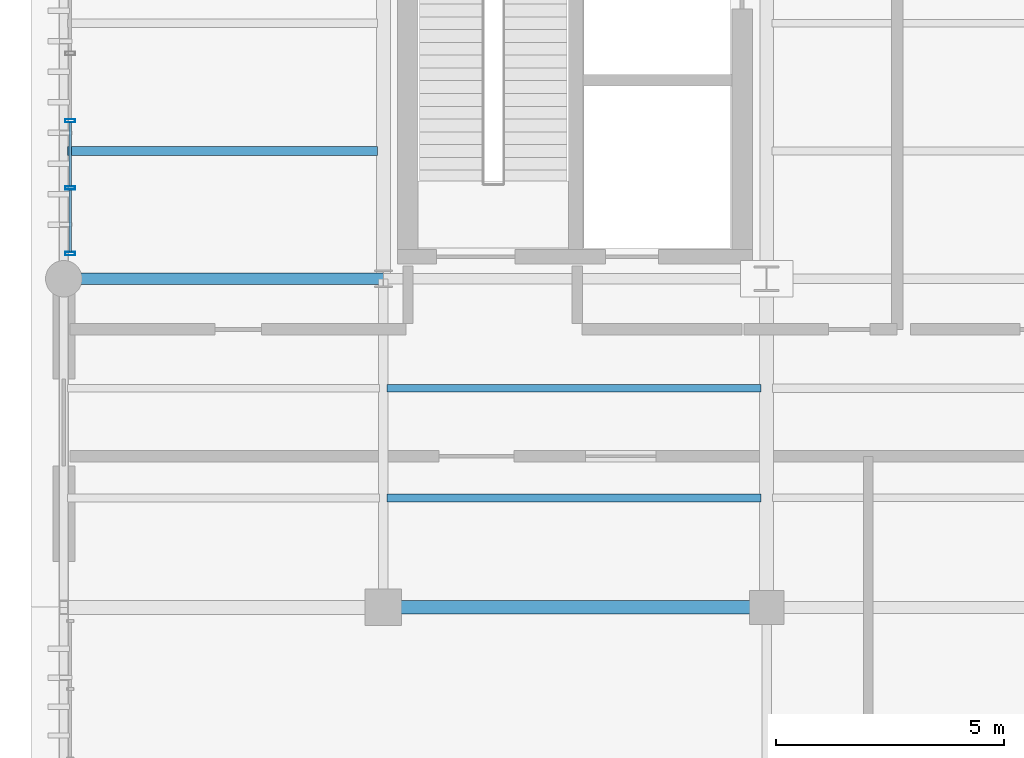
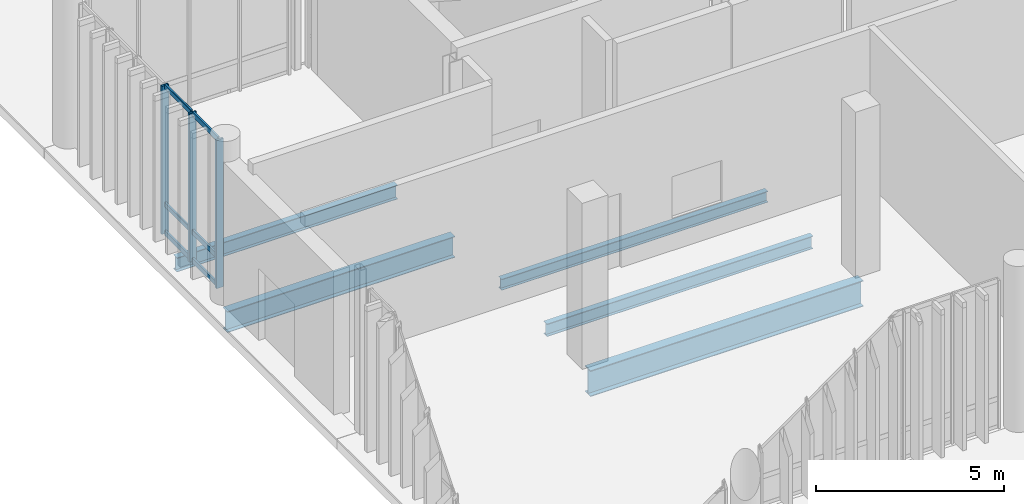
# One storey, part 25 of 112: 9 members, 5 beams, 1 element without a shape of its own.
"""IFC4 building model written with IfcOpenShell, lengths in metres."""

from ifc_helpers import new_model, si_unit, direction, frame, origin_with_axes, origin_2d_with_axis, place, context, subcontext, project, spatial, hollow_rectangle, i_section, extrude, material, material_profile, profile_set, type_object, element, aggregate, save


model = new_model("IFC4")

# Units and contexts
model_context = context("Model", 3, precision=1e-05, world=origin_with_axes(), true_north=direction((0.0, 1.0)))
body_context = subcontext(model_context, "Body", "Model", "MODEL_VIEW")
ifc_project = project(units=[si_unit("LENGTHUNIT", "METRE"), si_unit("AREAUNIT", "SQUARE_METRE"), si_unit("VOLUMEUNIT", "CUBIC_METRE"), si_unit("PLANEANGLEUNIT", "RADIAN"), si_unit("MASSUNIT", "GRAM", prefix="KILO"), si_unit("THERMODYNAMICTEMPERATUREUNIT", "KELVIN")], contexts=[model_context])

# Site, building, storey
site_placement = place(None, origin_with_axes())
site = spatial("IfcSite", under=ifc_project, at=site_placement, CompositionType="ELEMENT")
building_placement = place(site_placement, origin_with_axes())
building = spatial("IfcBuilding", under=site, at=building_placement, Name="Montbau Bow Law Courts", CompositionType="ELEMENT")
storey_placement = place(building_placement, origin_with_axes())
storey = spatial("IfcBuildingStorey", under=building, at=storey_placement, Name="L00", CompositionType="ELEMENT", Elevation=0.0)

# Beams
ifc_material_1 = material(Name="Steel CSA G40.21 Grade 350W (350 MPa)", Category="steel")
ifc_material_profile_1 = material_profile(ifc_material_1, i_section(OverallWidth=0.293, OverallDepth=0.846, WebThickness=0.0154, FlangeThickness=0.0244, at=origin_2d_with_axis()), Name="W840X210", Category="Main", Priority=0)
ifc_profile_set_1 = profile_set([ifc_material_profile_1], Name="Steel CSA G40.21 Grade 350W (350 MPa)")
beam_type_1 = type_object("IfcBeamType", Name="B-FLR-02", PredefinedType="BEAM", material=ifc_profile_set_1)
beam_1_placement = place(None, frame((13.8, 39.0, -0.763), z_axis=(1.0, 0.0, 0.0), x_axis=(0.0, 1.0, 0.0)))
element("IfcBeam", 1, at=beam_1_placement, inside=storey, type_object=beam_type_1, Name="BM-L00-S0184:bm2_0187", PredefinedType="BEAM", context=body_context, shape_type="SweptSolid", body=[
    extrude(i_section(OverallWidth=0.293, OverallDepth=0.846, WebThickness=0.0154, FlangeThickness=0.0244, at=origin_2d_with_axis()), origin_with_axes(), (0.0, 0.0, 1.0), 8.4),
])
ifc_material_profile_2 = material_profile(ifc_material_1, i_section(OverallWidth=0.254, OverallDepth=0.688, WebThickness=0.0131, FlangeThickness=0.0211, at=origin_2d_with_axis()), Name="W690X152", Category="Main", Priority=0)
ifc_profile_set_2 = profile_set([ifc_material_profile_2], Name="Steel CSA G40.21 Grade 350W (350 MPa)")
beam_type_2 = type_object("IfcBeamType", Name="B-FLR-04", PredefinedType="BEAM", material=ifc_profile_set_2)
beam_2_placement = place(None, frame((6.8, 46.2, -0.684), z_axis=(1.0, 0.0, 0.0), x_axis=(0.0, 1.0, 0.0)))
element("IfcBeam", 2, at=beam_2_placement, inside=storey, type_object=beam_type_2, Name="BM-L00-S0197:bm2_0200", PredefinedType="BEAM", context=body_context, shape_type="SweptSolid", body=[
    extrude(i_section(OverallWidth=0.254, OverallDepth=0.688, WebThickness=0.0131, FlangeThickness=0.0211, at=origin_2d_with_axis()), origin_with_axes(), (0.0, 0.0, 1.0), 7.0),
])
ifc_material_profile_3 = material_profile(ifc_material_1, i_section(OverallWidth=0.191, OverallDepth=0.46, WebThickness=0.0099, FlangeThickness=0.016, at=origin_2d_with_axis()), Name="W460X82", Category="Main", Priority=0)
ifc_profile_set_3 = profile_set([ifc_material_profile_3], Name="Steel CSA G40.21 Grade 350W (350 MPa)")
beam_type_3 = type_object("IfcBeamType", Name="B-JST-01", PredefinedType="JOIST", material=ifc_profile_set_3)
beam_3_placement = place(None, frame((6.88, 49.0, -0.57), z_axis=(1.0, 0.0, 0.0), x_axis=(0.0, 1.0, 0.0)))
element("IfcBeam", 3, at=beam_3_placement, inside=storey, type_object=beam_type_3, Name="JST-L00-S0008:jst2_0008", PredefinedType="JOIST", context=body_context, shape_type="SweptSolid", body=[
    extrude(i_section(OverallWidth=0.191, OverallDepth=0.46, WebThickness=0.0099, FlangeThickness=0.016, at=origin_2d_with_axis()), origin_with_axes(), (0.0, 0.0, 1.0), 6.791),
])
ifc_material_profile_4 = material_profile(ifc_material_1, i_section(OverallWidth=0.179, OverallDepth=0.41, WebThickness=0.0088, FlangeThickness=0.0144, at=origin_2d_with_axis()), Name="W410X67", Category="Main", Priority=0)
ifc_profile_set_4 = profile_set([ifc_material_profile_4], Name="Steel CSA G40.21 Grade 350W (350 MPa)")
beam_type_4 = type_object("IfcBeamType", Name="B-JST-02", PredefinedType="JOIST", material=ifc_profile_set_4)
beam_4_placement = place(None, frame((13.881, 41.4, -0.545), z_axis=(1.0, 0.0, 0.0), x_axis=(0.0, 1.0, 0.0)))
element("IfcBeam", 4, at=beam_4_placement, inside=storey, type_object=beam_type_4, Name="JST-L00-S0013:jst2_0013", PredefinedType="JOIST", context=body_context, shape_type="SweptSolid", body=[
    extrude(i_section(OverallWidth=0.179, OverallDepth=0.41, WebThickness=0.0088, FlangeThickness=0.0144, at=origin_2d_with_axis()), origin_with_axes(), (0.0, 0.0, 1.0), 8.19),
])
ifc_material_profile_5 = material_profile(ifc_material_1, i_section(OverallWidth=0.172, OverallDepth=0.358, WebThickness=0.0079, FlangeThickness=0.0131, at=origin_2d_with_axis()), Name="W360X57", Category="Main", Priority=0)
ifc_profile_set_5 = profile_set([ifc_material_profile_5], Name="Steel CSA G40.21 Grade 350W (350 MPa)")
beam_type_5 = type_object("IfcBeamType", Name="B-JST-03", PredefinedType="JOIST", material=ifc_profile_set_5)
beam_5_placement = place(None, frame((13.881, 43.8, -0.519), z_axis=(1.0, 0.0, 0.0), x_axis=(0.0, 1.0, 0.0)))
element("IfcBeam", 5, at=beam_5_placement, inside=storey, type_object=beam_type_5, Name="JST-L00-S0014:jst2_0014", PredefinedType="JOIST", context=body_context, shape_type="SweptSolid", body=[
    extrude(i_section(OverallWidth=0.172, OverallDepth=0.358, WebThickness=0.0079, FlangeThickness=0.0131, at=origin_2d_with_axis()), origin_with_axes(), (0.0, 0.0, 1.0), 8.19),
])

# Curtain wall, members
ifc_material_2 = material(Name="Thermally Broken Extruded Aluminium AA 6063-T6", Category="aluminium")
curtain_wall_type = type_object("IfcCurtainWallType", Name="CW-TRC-01", PredefinedType="NOTDEFINED", material=ifc_material_2)
curtain_wall_placement = place(None, frame((6.94, 46.715, 0.0), z_axis=(0.0, 0.0, 1.0), x_axis=(1.0, 0.0, 0.0)))
curtain_wall = element("IfcCurtainWall", 6, at=curtain_wall_placement, inside=storey, type_object=curtain_wall_type, Name="CW-L00-012:cw_0012", PredefinedType="NOTDEFINED")
ifc_material_profile_6 = material_profile(ifc_material_2, hollow_rectangle(XDim=0.075, YDim=0.22, WallThickness=0.005, InnerFilletRadius=0.01, OuterFilletRadius=0.005, at=origin_2d_with_axis()), Name="CWM-220X75", Category="Main", Priority=0)
ifc_profile_set_6 = profile_set([ifc_material_profile_6], Name="Thermally Broken Extruded Aluminium AA 6063-T6")
member_type_1 = type_object("IfcMemberType", Name="M-MUL-01", PredefinedType="MULLION", material=ifc_profile_set_6)
member_1_placement = place(None, frame((6.94, 46.752, 0.0), z_axis=(0.0, 0.0, 1.0), x_axis=(0.0, 1.0, 0.0)))
member_1 = element("IfcMember", 7, at=member_1_placement, type_object=member_type_1, Name="CW-L00-012-M01:cw_0012_M01", PredefinedType="MULLION", context=body_context, shape_type="SweptSolid", body=[
    extrude(hollow_rectangle(XDim=0.075, YDim=0.22, WallThickness=0.005, InnerFilletRadius=0.01, OuterFilletRadius=0.005, at=origin_2d_with_axis()), origin_with_axes(), (0.0, 0.0, 1.0), 4.82),
])
member_2_placement = place(None, frame((6.94, 48.189, 0.0), z_axis=(0.0, 0.0, 1.0), x_axis=(0.0, 1.0, 0.0)))
member_2 = element("IfcMember", 8, at=member_2_placement, type_object=member_type_1, Name="CW-L00-012-M02:cw_0012_M02", PredefinedType="MULLION", context=body_context, shape_type="SweptSolid", body=[
    extrude(hollow_rectangle(XDim=0.075, YDim=0.22, WallThickness=0.005, InnerFilletRadius=0.01, OuterFilletRadius=0.005, at=origin_2d_with_axis()), origin_with_axes(), (0.0, 0.0, 1.0), 4.82),
])
member_3_placement = place(None, frame((6.94, 49.663, 0.0), z_axis=(0.0, 0.0, 1.0), x_axis=(0.0, 1.0, 0.0)))
member_3 = element("IfcMember", 9, at=member_3_placement, type_object=member_type_1, Name="CW-L00-012-M03:cw_0012_M03", PredefinedType="MULLION", context=body_context, shape_type="SweptSolid", body=[
    extrude(hollow_rectangle(XDim=0.075, YDim=0.22, WallThickness=0.005, InnerFilletRadius=0.01, OuterFilletRadius=0.005, at=origin_2d_with_axis()), origin_with_axes(), (0.0, 0.0, 1.0), 4.82),
])
ifc_material_profile_7 = material_profile(ifc_material_2, hollow_rectangle(XDim=0.06, YDim=0.16, WallThickness=0.004, InnerFilletRadius=0.008, OuterFilletRadius=0.004, at=origin_2d_with_axis()), Name="CWT-160X60", Category="Main", Priority=0)
ifc_profile_set_7 = profile_set([ifc_material_profile_7], Name="Thermally Broken Extruded Aluminium AA 6063-T6")
member_type_2 = type_object("IfcMemberType", Name="M-TRN-01", PredefinedType="USERDEFINED", material=ifc_profile_set_7)
member_4_placement = place(None, frame((6.94, 46.791, 0.03), z_axis=(0.0, 1.0, 0.0), x_axis=(-1.0, 0.0, 0.0)))
member_4 = element("IfcMember", 10, at=member_4_placement, type_object=member_type_2, Name="CW-L00-012-T01-1:cw_0012_T01_1", ObjectType="TRANSOM", PredefinedType="USERDEFINED", context=body_context, shape_type="SweptSolid", body=[
    extrude(hollow_rectangle(XDim=0.06, YDim=0.16, WallThickness=0.004, InnerFilletRadius=0.008, OuterFilletRadius=0.004, at=origin_2d_with_axis()), origin_with_axes(), (0.0, 0.0, 1.0), 1.358),
])
member_5_placement = place(None, frame((6.94, 46.791, 0.95), z_axis=(0.0, 1.0, 0.0), x_axis=(-1.0, 0.0, 0.0)))
member_5 = element("IfcMember", 11, at=member_5_placement, type_object=member_type_2, Name="CW-L00-012-T01-2:cw_0012_T01_2", ObjectType="TRANSOM", PredefinedType="USERDEFINED", context=body_context, shape_type="SweptSolid", body=[
    extrude(hollow_rectangle(XDim=0.06, YDim=0.16, WallThickness=0.004, InnerFilletRadius=0.008, OuterFilletRadius=0.004, at=origin_2d_with_axis()), origin_with_axes(), (0.0, 0.0, 1.0), 1.358),
])
member_6_placement = place(None, frame((6.94, 46.791, 4.79), z_axis=(0.0, 1.0, 0.0), x_axis=(-1.0, 0.0, 0.0)))
member_6 = element("IfcMember", 12, at=member_6_placement, type_object=member_type_2, Name="CW-L00-012-T01-3:cw_0012_T01_3", ObjectType="TRANSOM", PredefinedType="USERDEFINED", context=body_context, shape_type="SweptSolid", body=[
    extrude(hollow_rectangle(XDim=0.06, YDim=0.16, WallThickness=0.004, InnerFilletRadius=0.008, OuterFilletRadius=0.004, at=origin_2d_with_axis()), origin_with_axes(), (0.0, 0.0, 1.0), 1.358),
])
member_7_placement = place(None, frame((6.94, 48.229, 0.03), z_axis=(0.0, 1.0, 0.0), x_axis=(-1.0, 0.0, 0.0)))
member_7 = element("IfcMember", 13, at=member_7_placement, type_object=member_type_2, Name="CW-L00-012-T02-1:cw_0012_T02_1", ObjectType="TRANSOM", PredefinedType="USERDEFINED", context=body_context, shape_type="SweptSolid", body=[
    extrude(hollow_rectangle(XDim=0.06, YDim=0.16, WallThickness=0.004, InnerFilletRadius=0.008, OuterFilletRadius=0.004, at=origin_2d_with_axis()), origin_with_axes(), (0.0, 0.0, 1.0), 1.395),
])
member_8_placement = place(None, frame((6.94, 48.229, 0.95), z_axis=(0.0, 1.0, 0.0), x_axis=(-1.0, 0.0, 0.0)))
member_8 = element("IfcMember", 14, at=member_8_placement, type_object=member_type_2, Name="CW-L00-012-T02-2:cw_0012_T02_2", ObjectType="TRANSOM", PredefinedType="USERDEFINED", context=body_context, shape_type="SweptSolid", body=[
    extrude(hollow_rectangle(XDim=0.06, YDim=0.16, WallThickness=0.004, InnerFilletRadius=0.008, OuterFilletRadius=0.004, at=origin_2d_with_axis()), origin_with_axes(), (0.0, 0.0, 1.0), 1.395),
])
member_9_placement = place(None, frame((6.94, 48.229, 4.79), z_axis=(0.0, 1.0, 0.0), x_axis=(-1.0, 0.0, 0.0)))
member_9 = element("IfcMember", 15, at=member_9_placement, type_object=member_type_2, Name="CW-L00-012-T02-3:cw_0012_T02_3", ObjectType="TRANSOM", PredefinedType="USERDEFINED", context=body_context, shape_type="SweptSolid", body=[
    extrude(hollow_rectangle(XDim=0.06, YDim=0.16, WallThickness=0.004, InnerFilletRadius=0.008, OuterFilletRadius=0.004, at=origin_2d_with_axis()), origin_with_axes(), (0.0, 0.0, 1.0), 1.395),
])
aggregate(curtain_wall, [member_1, member_2, member_3, member_4, member_5, member_6, member_7, member_8, member_9])

save(model, "model.ifc")
